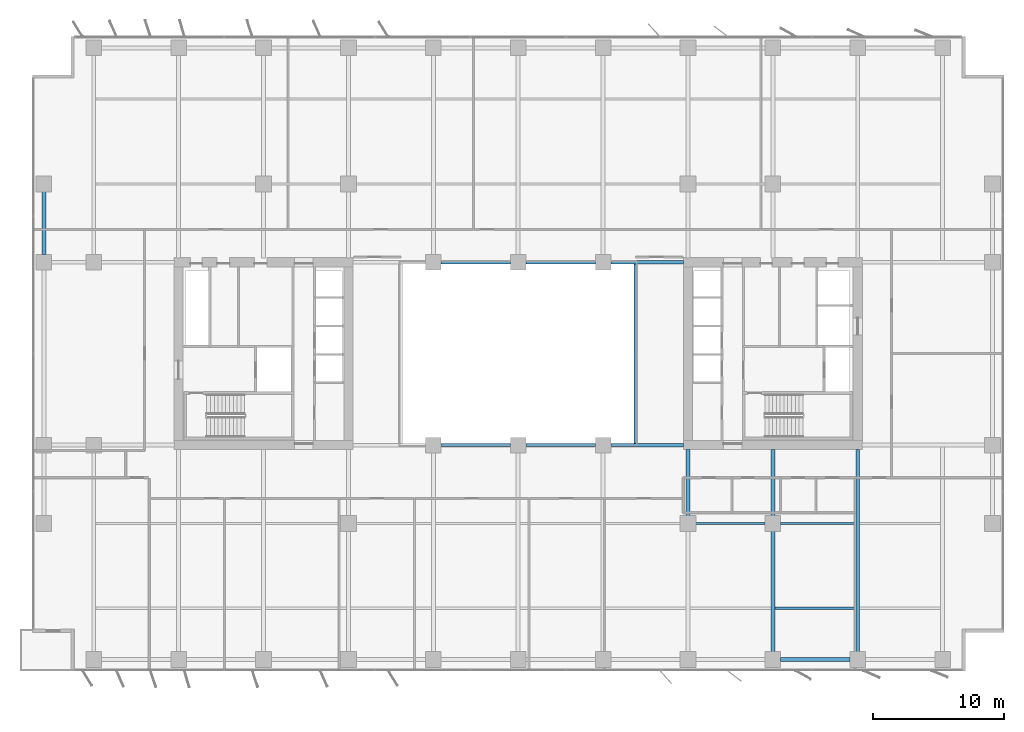
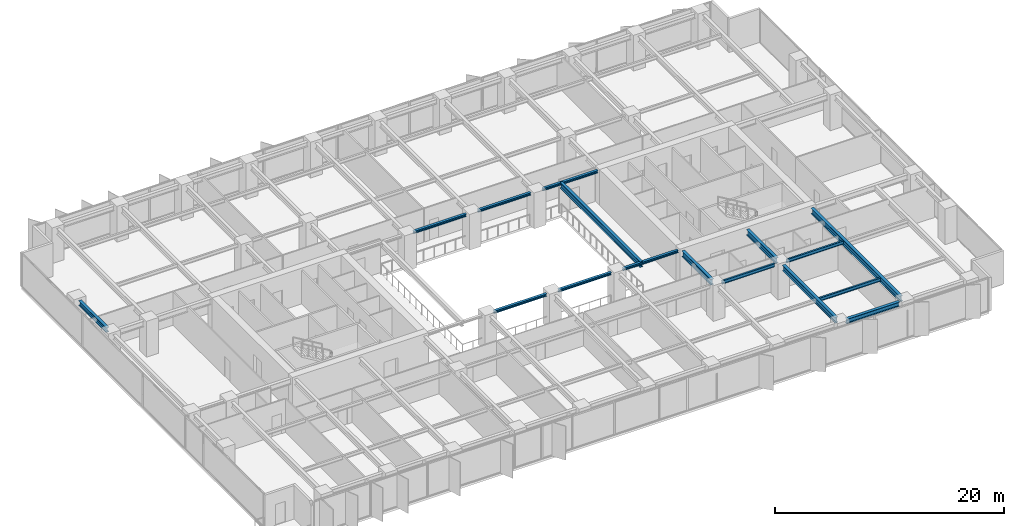
# One storey, part 6 of 20: 16 beams.
"""IFC4 building model written with IfcOpenShell, lengths in metres."""

from ifc_helpers import new_model, si_unit, direction, frame, origin, origin_2d, place, context, subcontext, project, spatial, i_section, extrude, material, material_profile, profile_set, type_object, element, save


model = new_model("IFC4")

# Units and contexts
model_context = context("Model", 3, precision=1e-05, world=origin(), true_north=direction((0.0, 1.0)))
body_context = subcontext(model_context, "Body", "Model", "MODEL_VIEW")
ifc_project = project(units=[si_unit("LENGTHUNIT", "METRE"), si_unit("AREAUNIT", "SQUARE_METRE"), si_unit("VOLUMEUNIT", "CUBIC_METRE"), si_unit("PLANEANGLEUNIT", "RADIAN"), si_unit("MASSUNIT", "GRAM", prefix="KILO")], contexts=[model_context])

# Site, building, storey
site_placement = place(None, origin())
site = spatial("IfcSite", under=ifc_project, at=site_placement, CompositionType="ELEMENT")
building_placement = place(site_placement, origin())
building = spatial("IfcBuilding", under=site, at=building_placement, Name="Putna Gate Headquarters", CompositionType="ELEMENT")
storey_placement = place(building_placement, frame((0.0, 0.0, 101.199951171875)))
storey = spatial("IfcBuildingStorey", under=building, at=storey_placement, Name="L24", CompositionType="ELEMENT", Elevation=101.199951171875)

# Beams
ifc_material = material(Name="Steel S355J2", Category="steel")
ifc_material_profile_1 = material_profile(ifc_material, i_section(OverallWidth=0.260009765625, OverallDepth=0.260009765625, WebThickness=0.010009765625, FlangeThickness=0.017578125, at=origin_2d()), Name="Steel S355J2")
ifc_profile_set_1 = profile_set([ifc_material_profile_1], Name="Steel S355J2")
beam_type_1 = type_object("IfcBeamType", Name="BM-ATRIUM-HEB260", PredefinedType="BEAM", material=ifc_profile_set_1)
for number, where, z_axis, x_axis, name in (
    (1, (33.087890625, 19.0, 3.43505859375), (1.0, 0.0, 0.0), (0.0, 1.0, 0.0), "L24 Atrium Edge Beam AS2"),
    (2, (39.587890625, 19.0, 3.43505859375), (1.0, 0.0, 0.0), (0.0, 1.0, 0.0), "L24 Atrium Edge Beam AS3"),
):
    element("IfcBeam", number, at=place(storey_placement, frame(where, z_axis=z_axis, x_axis=x_axis)), inside=storey, type_object=beam_type_1, Name=name, PredefinedType="BEAM", context=body_context, shape_type="SweptSolid", body=[
        extrude(i_section(OverallWidth=0.260009765625, OverallDepth=0.260009765625, WebThickness=0.010009765625, FlangeThickness=0.017578125, at=origin_2d()), origin(), (0.0, 0.0, 1.0), 5.32421875),
    ])
beam_1_placement = place(storey_placement, frame((46.087890625, 19.0, 3.43505859375), z_axis=(1.0, 0.0, 0.0), x_axis=(0.0, 1.0, 0.0)))
element("IfcBeam", 3, at=beam_1_placement, inside=storey, type_object=beam_type_1, Name="L24 Atrium Edge Beam AS4", PredefinedType="BEAM", context=body_context, shape_type="SweptSolid", body=[
    extrude(i_section(OverallWidth=0.260009765625, OverallDepth=0.260009765625, WebThickness=0.010009765625, FlangeThickness=0.017578125, at=origin_2d()), origin(), (0.0, 0.0, 1.0), 5.5771484375),
])
for number, where, z_axis, x_axis, name in (
    (4, (33.087890625, 33.0, 3.43505859375), (1.0, 0.0, 0.0), (0.0, 1.0, 0.0), "L24 Atrium Edge Beam AN2"),
    (5, (39.587890625, 33.0, 3.43505859375), (1.0, 0.0, 0.0), (0.0, 1.0, 0.0), "L24 Atrium Edge Beam AN3"),
):
    element("IfcBeam", number, at=place(storey_placement, frame(where, z_axis=z_axis, x_axis=x_axis)), inside=storey, type_object=beam_type_1, Name=name, PredefinedType="BEAM", context=body_context, shape_type="SweptSolid", body=[
        extrude(i_section(OverallWidth=0.260009765625, OverallDepth=0.260009765625, WebThickness=0.010009765625, FlangeThickness=0.017578125, at=origin_2d()), origin(), (0.0, 0.0, 1.0), 5.32421875),
    ])
beam_2_placement = place(storey_placement, frame((46.087890625, 33.0, 3.43505859375), z_axis=(1.0, 0.0, 0.0), x_axis=(0.0, 1.0, 0.0)))
element("IfcBeam", 6, at=beam_2_placement, inside=storey, type_object=beam_type_1, Name="L24 Atrium Edge Beam AN4", PredefinedType="BEAM", context=body_context, shape_type="SweptSolid", body=[
    extrude(i_section(OverallWidth=0.260009765625, OverallDepth=0.260009765625, WebThickness=0.010009765625, FlangeThickness=0.017578125, at=origin_2d()), origin(), (0.0, 0.0, 1.0), 5.5771484375),
])
ifc_material_profile_2 = material_profile(ifc_material, i_section(OverallWidth=0.300048828125, OverallDepth=0.60009765625, WebThickness=0.015380859375, FlangeThickness=0.030029296875, at=origin_2d()), Name="Steel S355J2")
ifc_profile_set_2 = profile_set([ifc_material_profile_2], Name="Steel S355J2")
beam_type_2 = type_object("IfcBeamType", Name="BM-GIRD-Z2-HEB600", PredefinedType="USERDEFINED", material=ifc_profile_set_2)
beam_3_placement = place(storey_placement, frame((52.0, 13.587890625, 3.26513671875), z_axis=(0.0, 1.0, 0.0), x_axis=(-1.0, 0.0, 0.0)))
element("IfcBeam", 7, at=beam_3_placement, inside=storey, type_object=beam_type_2, Name="L24 South Primary Girder X52-2", ObjectType="GIRDER", PredefinedType="USERDEFINED", context=body_context, shape_type="SweptSolid", body=[
    extrude(i_section(OverallWidth=0.300048828125, OverallDepth=0.60009765625, WebThickness=0.015380859375, FlangeThickness=0.030029296875, at=origin_2d()), origin(), (0.0, 0.0, 1.0), 5.0771484375),
])
beam_4_placement = place(storey_placement, frame((58.5, 3.16796875, 3.26513671875), z_axis=(0.0, 1.0, 0.0), x_axis=(-1.0, 0.0, 0.0)))
element("IfcBeam", 8, at=beam_4_placement, inside=storey, type_object=beam_type_2, Name="L24 South Primary Girder X58-1", ObjectType="GIRDER", PredefinedType="USERDEFINED", context=body_context, shape_type="SweptSolid", body=[
    extrude(i_section(OverallWidth=0.300048828125, OverallDepth=0.60009765625, WebThickness=0.015380859375, FlangeThickness=0.030029296875, at=origin_2d()), origin(), (0.0, 0.0, 1.0), 9.244140625),
])
beam_5_placement = place(storey_placement, frame((58.5, 13.587890625, 3.26513671875), z_axis=(0.0, 1.0, 0.0), x_axis=(-1.0, 0.0, 0.0)))
element("IfcBeam", 9, at=beam_5_placement, inside=storey, type_object=beam_type_2, Name="L24 South Primary Girder X58-2", ObjectType="GIRDER", PredefinedType="USERDEFINED", context=body_context, shape_type="SweptSolid", body=[
    extrude(i_section(OverallWidth=0.300048828125, OverallDepth=0.60009765625, WebThickness=0.015380859375, FlangeThickness=0.030029296875, at=origin_2d()), origin(), (0.0, 0.0, 1.0), 5.0771484375),
])
beam_6_placement = place(storey_placement, frame((65.0, 3.16796875, 3.26513671875), z_axis=(0.0, 1.0, 0.0), x_axis=(-1.0, 0.0, 0.0)))
element("IfcBeam", 10, at=beam_6_placement, inside=storey, type_object=beam_type_2, Name="L24 South Primary Girder X65", ObjectType="GIRDER", PredefinedType="USERDEFINED", context=body_context, shape_type="SweptSolid", body=[
    extrude(i_section(OverallWidth=0.300048828125, OverallDepth=0.60009765625, WebThickness=0.015380859375, FlangeThickness=0.030029296875, at=origin_2d()), origin(), (0.0, 0.0, 1.0), 15.4970703125),
])
beam_7_placement = place(storey_placement, frame((48.0, 19.010009765625, 3.26513671875), z_axis=(0.0, 1.0, 0.0), x_axis=(-1.0, 0.0, 0.0)))
element("IfcBeam", 11, at=beam_7_placement, inside=storey, type_object=beam_type_2, Name="L24 Atrium Trim Girder AE", ObjectType="GIRDER", PredefinedType="USERDEFINED", context=body_context, shape_type="SweptSolid", body=[
    extrude(i_section(OverallWidth=0.300048828125, OverallDepth=0.60009765625, WebThickness=0.015380859375, FlangeThickness=0.030029296875, at=origin_2d()), origin(), (0.0, 0.0, 1.0), 13.97998046875),
])
ifc_material_profile_3 = material_profile(ifc_material, i_section(OverallWidth=0.169921875, OverallDepth=0.360107421875, WebThickness=0.008056640625, FlangeThickness=0.0126953125, at=origin_2d()), Name="Steel S355J2")
ifc_profile_set_3 = profile_set([ifc_material_profile_3], Name="Steel S355J2")
beam_type_3 = type_object("IfcBeamType", Name="BM-SEC-Z2-IPE360", PredefinedType="BEAM", material=ifc_profile_set_3)
beam_8_placement = place(storey_placement, frame((52.587890625, 13.0, 3.385009765625), z_axis=(1.0, 0.0, 0.0), x_axis=(0.0, 1.0, 0.0)))
element("IfcBeam", 12, at=beam_8_placement, inside=storey, type_object=beam_type_3, Name="L24 South Secondary Beam 8", PredefinedType="BEAM", context=body_context, shape_type="SweptSolid", body=[
    extrude(i_section(OverallWidth=0.169921875, OverallDepth=0.360107421875, WebThickness=0.008056640625, FlangeThickness=0.0126953125, at=origin_2d()), origin(), (0.0, 0.0, 1.0), 5.32421875),
])
beam_9_placement = place(storey_placement, frame((58.654052734375, 6.5, 3.385009765625), z_axis=(1.0, 0.0, 0.0), x_axis=(0.0, 1.0, 0.0)))
element("IfcBeam", 13, at=beam_9_placement, inside=storey, type_object=beam_type_3, Name="L24 South Secondary Beam 9", PredefinedType="BEAM", context=body_context, shape_type="SweptSolid", body=[
    extrude(i_section(OverallWidth=0.169921875, OverallDepth=0.360107421875, WebThickness=0.008056640625, FlangeThickness=0.0126953125, at=origin_2d()), origin(), (0.0, 0.0, 1.0), 6.19189453125),
])
beam_10_placement = place(storey_placement, frame((59.087890625, 13.0, 3.385009765625), z_axis=(1.0, 0.0, 0.0), x_axis=(0.0, 1.0, 0.0)))
element("IfcBeam", 14, at=beam_10_placement, inside=storey, type_object=beam_type_3, Name="L24 South Secondary Beam 9", PredefinedType="BEAM", context=body_context, shape_type="SweptSolid", body=[
    extrude(i_section(OverallWidth=0.169921875, OverallDepth=0.360107421875, WebThickness=0.008056640625, FlangeThickness=0.0126953125, at=origin_2d()), origin(), (0.0, 0.0, 1.0), 5.758056640625),
])
ifc_material_profile_4 = material_profile(ifc_material, i_section(OverallWidth=0.300048828125, OverallDepth=0.489990234375, WebThickness=0.011962890625, FlangeThickness=0.02294921875, at=origin_2d()), Name="Steel S355J2")
ifc_profile_set_4 = profile_set([ifc_material_profile_4], Name="Steel S355J2")
beam_type_4 = type_object("IfcBeamType", Name="BM-SPAN-Z2-HEA500", PredefinedType="SPANDREL", material=ifc_profile_set_4)
beam_11_placement = place(storey_placement, frame((59.087890625, 2.580078125, 3.320068359375), z_axis=(1.0, 0.0, 0.0), x_axis=(0.0, 1.0, 0.0)))
element("IfcBeam", 15, at=beam_11_placement, inside=storey, type_object=beam_type_4, Name="L24 S Perimeter Spandrel 9", PredefinedType="SPANDREL", context=body_context, shape_type="SweptSolid", body=[
    extrude(i_section(OverallWidth=0.300048828125, OverallDepth=0.489990234375, WebThickness=0.011962890625, FlangeThickness=0.02294921875, at=origin_2d()), origin(), (0.0, 0.0, 1.0), 5.32421875),
])
beam_12_placement = place(storey_placement, frame((2.679931640625, 33.587890625, 3.320068359375), z_axis=(0.0, 1.0, 0.0), x_axis=(-1.0, 0.0, 0.0)))
element("IfcBeam", 16, at=beam_12_placement, inside=storey, type_object=beam_type_4, Name="L24 W End Spandrel 3", PredefinedType="SPANDREL", context=body_context, shape_type="SweptSolid", body=[
    extrude(i_section(OverallWidth=0.300048828125, OverallDepth=0.489990234375, WebThickness=0.011962890625, FlangeThickness=0.02294921875, at=origin_2d()), origin(), (0.0, 0.0, 1.0), 4.82421875),
])

save(model, "model.ifc")
